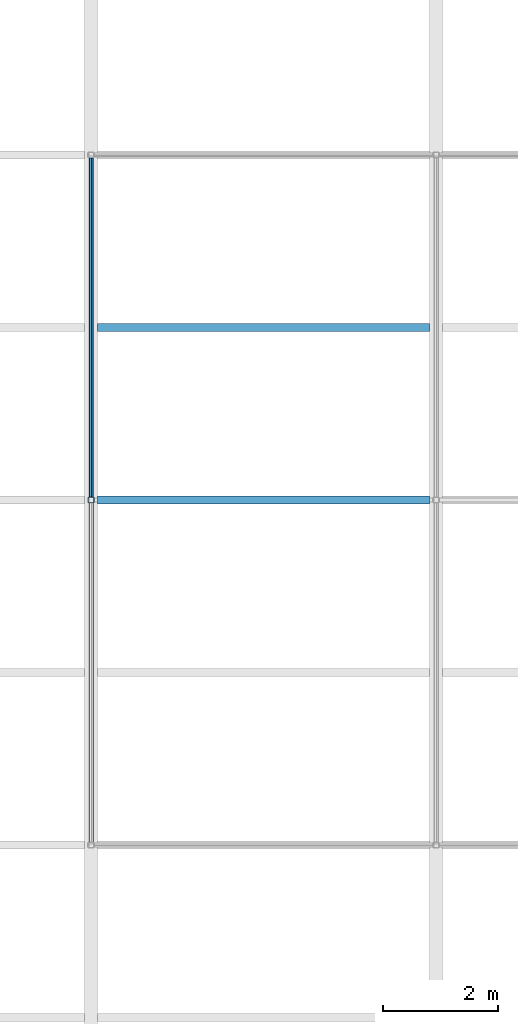
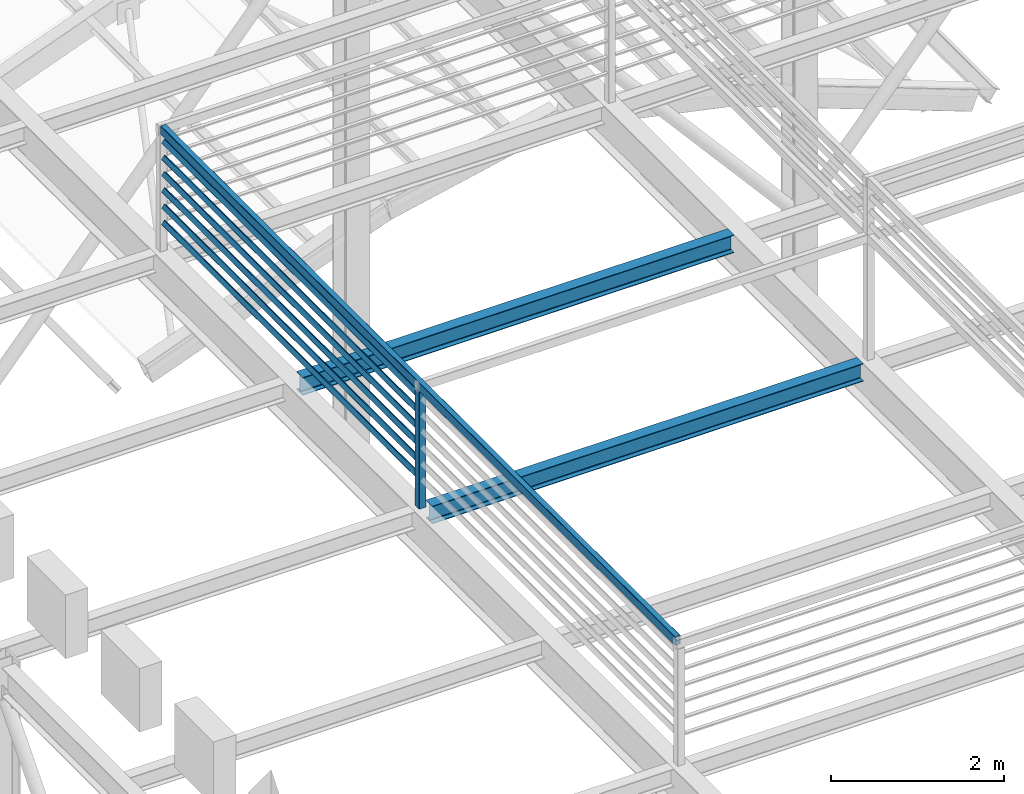
# One storey, part 5 of 57: 7 members, 3 beams.
"""IFC4 building model written with IfcOpenShell, lengths in metres."""

from ifc_helpers import new_model, si_unit, direction, frame, origin, origin_2d, place, context, subcontext, project, spatial, hollow_rectangle, i_section, extrude, material, material_profile, profile_set, type_object, element, save


model = new_model("IFC4")

# Units and contexts
model_context = context("Model", 3, precision=1e-05, world=origin(), true_north=direction((0.0, 1.0)))
body_context = subcontext(model_context, "Body", "Model", "MODEL_VIEW")
ifc_project = project(units=[si_unit("LENGTHUNIT", "METRE"), si_unit("AREAUNIT", "SQUARE_METRE"), si_unit("VOLUMEUNIT", "CUBIC_METRE"), si_unit("PLANEANGLEUNIT", "RADIAN"), si_unit("MASSUNIT", "GRAM", prefix="KILO")], contexts=[model_context])

# Site, building, storey
site_placement = place(None, origin())
site = spatial("IfcSite", under=ifc_project, at=site_placement, CompositionType="ELEMENT")
building_placement = place(site_placement, origin())
building = spatial("IfcBuilding", under=site, at=building_placement, Name="Saffron Lane Theatres", CompositionType="ELEMENT")
storey_placement = place(building_placement, frame((0.0, 0.0, 28.0)))
storey = spatial("IfcBuildingStorey", under=building, at=storey_placement, Name="Upper Roof", CompositionType="ELEMENT", Elevation=28.0)

# Member
ifc_material_1 = material(Name="Steel Grade 350", Category="steel")
ifc_material_profile_1 = material_profile(ifc_material_1, hollow_rectangle(XDim=0.10009765625, YDim=0.10009765625, WallThickness=0.006103515625, InnerFilletRadius=0.0029296875, OuterFilletRadius=0.009033203125, at=origin_2d()))
ifc_profile_set_1 = profile_set([ifc_material_profile_1], Name="Steel Grade 350")
member_type_1 = type_object("IfcMemberType", Name="ST-LANTERN POST 100x100x6 SHS", PredefinedType="POST", material=ifc_profile_set_1)
member_placement = place(storey_placement, frame((24.0, 42.25, 8.85009765625), z_axis=(0.0, 0.0, 1.0), x_axis=(1.0, 0.0, 0.0)))
element("IfcMember", 1, at=member_placement, inside=storey, type_object=member_type_1, Name="LP2", PredefinedType="POST", context=body_context, shape_type="SweptSolid", body=[
    extrude(hollow_rectangle(XDim=0.10009765625, YDim=0.10009765625, WallThickness=0.006103515625, InnerFilletRadius=0.0029296875, OuterFilletRadius=0.009033203125, at=origin_2d()), origin(), (0.0, 0.0, 1.0), 1.64990234375),
])

# Beam
ifc_material_2 = material(Name="Steel Grade 350", Category="steel")
ifc_material_profile_2 = material_profile(ifc_material_2, hollow_rectangle(XDim=0.074951171875, YDim=0.125, WallThickness=0.0048828125, InnerFilletRadius=0.00244140625, OuterFilletRadius=0.007568359375, at=origin_2d()))
ifc_profile_set_2 = profile_set([ifc_material_profile_2], Name="Steel Grade 350")
beam_type_1 = type_object("IfcBeamType", Name="ST-LANTERN RING 125x75x5 RHS", PredefinedType="BEAM", material=ifc_profile_set_2)
beam_placement = place(storey_placement, frame((24.0, 36.28759765625, 10.5625), z_axis=(0.0, 1.0, 0.0), x_axis=(-1.0, 0.0, 0.0)))
element("IfcBeam", 2, at=beam_placement, inside=storey, type_object=beam_type_1, Name="LR4", PredefinedType="BEAM", context=body_context, shape_type="SweptSolid", body=[
    extrude(hollow_rectangle(XDim=0.074951171875, YDim=0.125, WallThickness=0.0048828125, InnerFilletRadius=0.00244140625, OuterFilletRadius=0.007568359375, at=origin_2d()), origin(), (0.0, 0.0, 1.0), 11.9248046875),
])

# Members
ifc_material_3 = material(Name="Steel Grade 350", Category="steel")
ifc_material_profile_3 = material_profile(ifc_material_3, hollow_rectangle(XDim=0.034912109375, YDim=0.06494140625, WallThickness=0.0029296875, InnerFilletRadius=0.00146484375, OuterFilletRadius=0.00439453125, at=origin_2d()))
ifc_profile_set_3 = profile_set([ifc_material_profile_3], Name="Steel Grade 350")
member_type_2 = type_object("IfcMemberType", Name="ST-LOUVRE SLAT 65x35x3 RHS", PredefinedType="MEMBER", material=ifc_profile_set_3)
for number, where, z_axis, x_axis, name in (
    (3, (24.0, 42.300048828125, 9.25), (0.0, 1.0, 0.0), (-0.819152044289, 0.0, 0.573576436351), "LV8"),
    (4, (24.0, 42.300048828125, 9.47998046875), (0.0, 1.0, 0.0), (-0.819152044289, 0.0, 0.573576436351), "LV18"),
    (5, (24.0, 42.300048828125, 9.7099609375), (0.0, 1.0, 0.0), (-0.819152044289, 0.0, 0.573576436351), "LV28"),
    (6, (24.0, 42.300048828125, 9.93994140625), (0.0, 1.0, 0.0), (-0.819152044289, 0.0, 0.573576436351), "LV38"),
    (7, (24.0, 42.300048828125, 10.169921875), (0.0, 1.0, 0.0), (-0.819152044289, 0.0, 0.573576436351), "LV48"),
    (8, (24.0, 42.300048828125, 10.39990234375), (0.0, 1.0, 0.0), (-0.819152044289, 0.0, 0.573576436351), "LV58"),
):
    element("IfcMember", number, at=place(storey_placement, frame(where, z_axis=z_axis, x_axis=x_axis)), inside=storey, type_object=member_type_2, Name=name, PredefinedType="MEMBER", context=body_context, shape_type="SweptSolid", body=[
        extrude(hollow_rectangle(XDim=0.034912109375, YDim=0.06494140625, WallThickness=0.0029296875, InnerFilletRadius=0.00146484375, OuterFilletRadius=0.00439453125, at=origin_2d()), origin(), (0.0, 0.0, 1.0), 5.89990234375),
    ])

# Beams
ifc_material_4 = material(Name="Steel Grade 350", Category="steel")
ifc_material_profile_4 = material_profile(ifc_material_4, i_section(OverallWidth=0.14599609375, OverallDepth=0.251953125, WebThickness=0.006103515625, FlangeThickness=0.008544921875, FilletRadius=0.011962890625, at=origin_2d()))
ifc_profile_set_4 = profile_set([ifc_material_profile_4], Name="Steel Grade 350")
beam_type_2 = type_object("IfcBeamType", Name="ST-ROOF JOIST 250UB31.4", PredefinedType="JOIST", material=ifc_profile_set_4)
for number, where, z_axis, x_axis, name in (
    (9, (24.114013671875, 42.25, 8.72412109375), (1.0, 0.0, 0.0), (0.0, 1.0, 0.0), "TT17"),
    (10, (24.114013671875, 45.25, 8.72412109375), (1.0, 0.0, 0.0), (0.0, 1.0, 0.0), "TT22"),
):
    element("IfcBeam", number, at=place(storey_placement, frame(where, z_axis=z_axis, x_axis=x_axis)), inside=storey, type_object=beam_type_2, Name=name, PredefinedType="JOIST", context=body_context, shape_type="SweptSolid", body=[
        extrude(i_section(OverallWidth=0.14599609375, OverallDepth=0.251953125, WebThickness=0.006103515625, FlangeThickness=0.008544921875, FilletRadius=0.011962890625, at=origin_2d()), origin(), (0.0, 0.0, 1.0), 5.77197265625),
    ])

save(model, "model.ifc")
